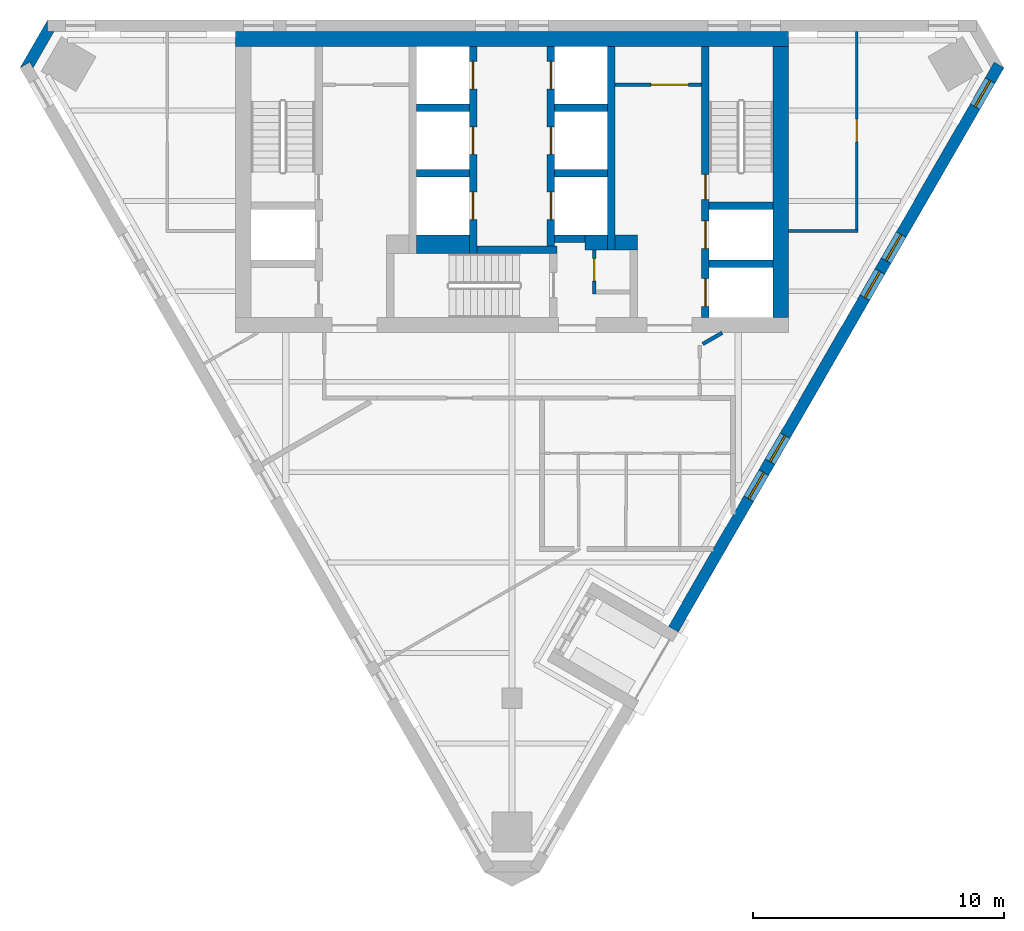
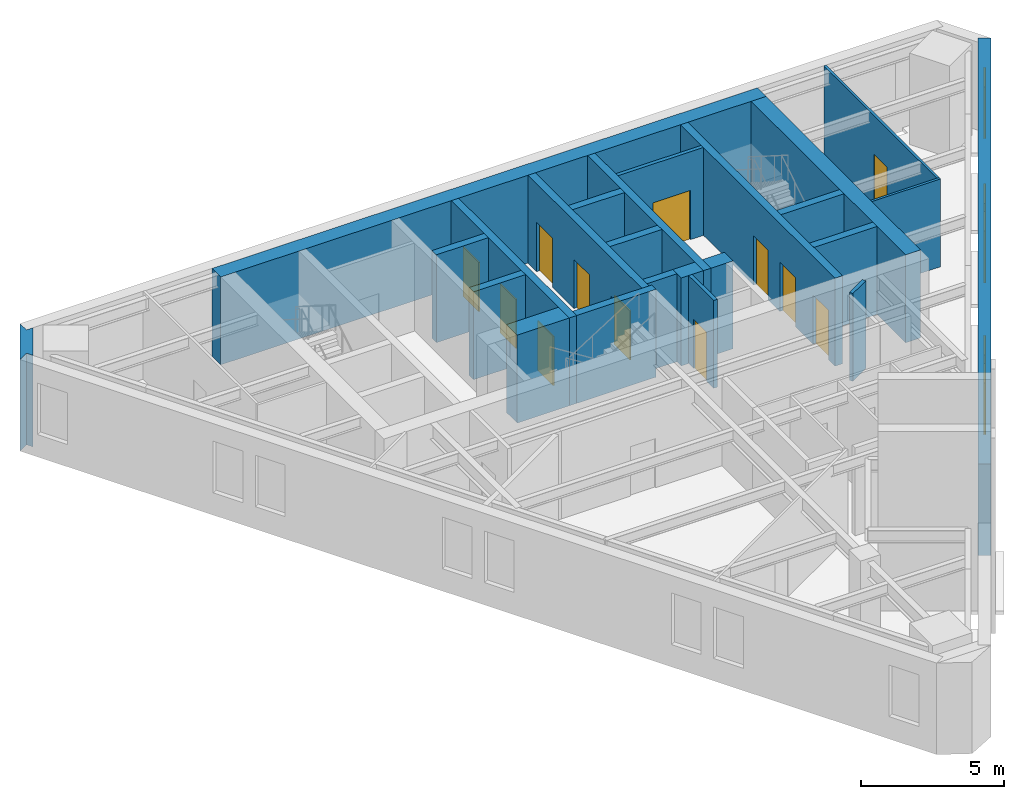
# One storey, part 4 of 6: 24 walls, 12 doors, 5 windows, 17 openings.
"""IFC4 building model written with IfcOpenShell, lengths in metres."""

from ifc_helpers import new_model, si_unit, direction, frame, frame_2d, origin, place, context, subcontext, project, spatial, polyline, rectangle, outline, extrude, material, layer, layer_set, type_object, element, fill, save


model = new_model("IFC4")

# Units and contexts
model_context = context("Model", 3, precision=1e-05, world=origin(), true_north=direction((0.0, 1.0)))
body_context = subcontext(model_context, "Body", "Model", "MODEL_VIEW")
ifc_project = project(units=[si_unit("LENGTHUNIT", "METRE"), si_unit("AREAUNIT", "SQUARE_METRE"), si_unit("VOLUMEUNIT", "CUBIC_METRE"), si_unit("PLANEANGLEUNIT", "RADIAN"), si_unit("MASSUNIT", "GRAM", prefix="KILO")], contexts=[model_context])

# Site, building, storey
site_placement = place(None, origin())
site = spatial("IfcSite", under=ifc_project, at=site_placement, CompositionType="ELEMENT")
building_placement = place(site_placement, origin())
building = spatial("IfcBuilding", under=site, at=building_placement, Name="Aloe Facet Convention Tower", CompositionType="ELEMENT")
storey_placement = place(building_placement, frame((0.0, 0.0, 273.800048828125)))
storey = spatial("IfcBuildingStorey", under=building, at=storey_placement, Name="L67", CompositionType="ELEMENT", Elevation=273.800048828125)

# Wall, opening, door
ifc_material_1 = material(Name="Concrete blockwork partition", Category="masonry")
ifc_layer_1 = layer(ifc_material_1, 0.14990234375)
ifc_layer_set_1 = layer_set([ifc_layer_1], Name="CR-W-PART150")
wall_type_1 = type_object("IfcWallType", Name="CR-W-PART150", PredefinedType="PARTITIONING", material=ifc_layer_set_1)
wall_1_placement = place(storey_placement, frame((83.27490234375, 125.85009765625, 0.0), z_axis=(0.0, 0.0, 1.0), x_axis=(0.0, -1.0, 0.0)))
wall_1 = element("IfcWall", 1, at=wall_1_placement, inside=storey, type_object=wall_type_1, Name="Core partition L67-022", PredefinedType="PARTITIONING", context=body_context, shape_type="SweptSolid", body=[
    extrude(rectangle(XDim=1.75, YDim=0.14990234375, at=frame_2d((0.875, 0.0))), origin(), (0.0, 0.0, 1.0), 3.75),
])
opening_1_placement = place(wall_1_placement, frame((0.35009765625, 0.0, 0.0)))
opening_1 = element("IfcOpeningElement", 2, at=opening_1_placement, cuts=wall_1, Name="Opening L67-CD12", PredefinedType="OPENING", context=body_context, shape_type="SweptSolid", body=[
    extrude(rectangle(XDim=0.89990234375, YDim=2.10009765625, at=frame_2d((0.449951171875, 1.050048828125))), frame((0.0, 0.0849609375, 0.0), z_axis=(0.0, -1.0, 0.0), x_axis=(1.0, 0.0, 0.0)), (0.0, 0.0, 1.0), 0.169921875),
])
ifc_material_2 = material(Name="Steel fire-resisting door set FD60", Category="steel")
door_type_1 = type_object("IfcDoorType", Name="CR-D-REFUGE-900-FD60-SRIGHT", OperationType="SINGLE_SWING_RIGHT", PredefinedType="DOOR", material=ifc_material_2)
door_1_placement = place(opening_1_placement, origin())
door_1 = element("IfcDoor", 3, at=door_1_placement, inside=storey, type_object=door_type_1, Name="Core door L67-CD12", OperationType="SINGLE_SWING_RIGHT", OverallHeight=2.10009765625, OverallWidth=0.89990234375, PredefinedType="DOOR", context=body_context, shape_type="SweptSolid", body=[
    extrude(rectangle(XDim=0.89990234375, YDim=2.10009765625, at=frame_2d((0.449951171875, 1.050048828125))), frame((0.0, 0.02490234375, 0.0), z_axis=(0.0, -1.0, 0.0), x_axis=(1.0, 0.0, 0.0)), (0.0, 0.0, 1.0), 0.050048828125),
])
fill(opening_1, door_1)

wall_2_placement = place(storey_placement, frame((84.10009765625, 132.425048828125, 0.0), z_axis=(0.0, 0.0, 1.0), x_axis=(1.0, 0.0, 0.0)))
wall_2 = element("IfcWall", 4, at=wall_2_placement, inside=storey, type_object=wall_type_1, Name="Core partition L67-025", PredefinedType="PARTITIONING", context=body_context, shape_type="SweptSolid", body=[
    extrude(rectangle(XDim=3.449951171875, YDim=0.14990234375, at=frame_2d((1.72509765625, 0.0))), origin(), (0.0, 0.0, 1.0), 3.75),
])
opening_2_placement = place(wall_2_placement, frame((1.425048828125, 0.0, 0.0)))
opening_2 = element("IfcOpeningElement", 5, at=opening_2_placement, cuts=wall_2, Name="Opening L67-CD13", PredefinedType="OPENING", context=body_context, shape_type="SweptSolid", body=[
    extrude(rectangle(XDim=1.5, YDim=2.10009765625, at=frame_2d((0.75, 1.050048828125))), frame((0.0, 0.0849609375, 0.0), z_axis=(0.0, -1.0, 0.0), x_axis=(1.0, 0.0, 0.0)), (0.0, 0.0, 1.0), 0.169921875),
])
ifc_material_3 = material(Name="Steel fire-resisting door set FD60", Category="steel")
door_type_2 = type_object("IfcDoorType", Name="CR-D-REFUGE-1500-FD60-DD", OperationType="DOUBLE_DOOR_DOUBLE_SWING", PredefinedType="DOOR", material=ifc_material_3)
door_2_placement = place(opening_2_placement, origin())
door_2 = element("IfcDoor", 6, at=door_2_placement, inside=storey, type_object=door_type_2, Name="Core door L67-CD13", OperationType="DOUBLE_DOOR_DOUBLE_SWING", OverallHeight=2.10009765625, OverallWidth=1.5, PredefinedType="DOOR", context=body_context, shape_type="SweptSolid", body=[
    extrude(rectangle(XDim=1.5, YDim=2.10009765625, at=frame_2d((0.75, 1.050048828125))), frame((0.0, 0.02490234375, 0.0), z_axis=(0.0, -1.0, 0.0), x_axis=(1.0, 0.0, 0.0)), (0.0, 0.0, 1.0), 0.050048828125),
])
fill(opening_2, door_2)

# Walls
ifc_material_4 = material(Name="Concrete C50/60", Category="concrete")
ifc_layer_2 = layer(ifc_material_4, 0.300048828125)
ifc_layer_set_2 = layer_set([ifc_layer_2], Name="CR-W-RC300-C5060")
wall_type_2 = type_object("IfcWallType", Name="CR-W-RC300-C5060", PredefinedType="SOLIDWALL", material=ifc_layer_set_2)
for number, where, z_axis, x_axis, name in (
    (7, (76.199951171875, 131.5, 0.0), (0.0, 0.0, 1.0), (1.0, 0.0, 0.0), "Core wall L67-011"),
    (8, (76.199951171875, 128.89990234375, 0.0), (0.0, 0.0, 1.0), (1.0, 0.0, 0.0), "Core wall L67-012"),
):
    element("IfcWall", number, at=place(storey_placement, frame(where, z_axis=z_axis, x_axis=x_axis)), inside=storey, type_object=wall_type_2, Name=name, PredefinedType="SOLIDWALL", context=body_context, shape_type="SweptSolid", body=[
        extrude(rectangle(XDim=2.10009765625, YDim=0.300048828125, at=frame_2d((1.050048828125, 0.0))), origin(), (0.0, 0.0, 1.0), 3.75),
    ])

# Wall, openings, doors
wall_3_placement = place(storey_placement, frame((78.449951171875, 133.949951171875, 0.0), z_axis=(0.0, 0.0, 1.0), x_axis=(0.0, -1.0, 0.0)))
wall_3 = element("IfcWall", 9, at=wall_3_placement, inside=storey, type_object=wall_type_2, Name="Core wall L67-014", PredefinedType="SOLIDWALL", context=body_context, shape_type="SweptSolid", body=[
    extrude(rectangle(XDim=8.25, YDim=0.300048828125, at=frame_2d((4.125, 0.0))), origin(), (0.0, 0.0, 1.0), 3.75),
])
opening_3_placement = place(wall_3_placement, frame((0.60009765625, 0.0, 0.0)))
opening_3 = element("IfcOpeningElement", 10, at=opening_3_placement, cuts=wall_3, Name="Opening LD-B1-L67", PredefinedType="OPENING", context=body_context, shape_type="SweptSolid", body=[
    extrude(rectangle(XDim=1.10009765625, YDim=2.10009765625, at=frame_2d((0.550048828125, 1.050048828125))), frame((0.0, 0.16015625, 0.0), z_axis=(0.0, -1.0, 0.0), x_axis=(1.0, 0.0, 0.0)), (0.0, 0.0, 1.0), 0.320068359375),
])
opening_4_placement = place(wall_3_placement, frame((3.199951171875, 0.0, 0.0)))
opening_4 = element("IfcOpeningElement", 11, at=opening_4_placement, cuts=wall_3, Name="Opening LD-B2-L67", PredefinedType="OPENING", context=body_context, shape_type="SweptSolid", body=[
    extrude(rectangle(XDim=1.10009765625, YDim=2.10009765625, at=frame_2d((0.550048828125, 1.050048828125))), frame((0.0, 0.16015625, 0.0), z_axis=(0.0, -1.0, 0.0), x_axis=(1.0, 0.0, 0.0)), (0.0, 0.0, 1.0), 0.320068359375),
])
opening_5_placement = place(wall_3_placement, frame((5.800048828125, 0.0, 0.0)))
opening_5 = element("IfcOpeningElement", 12, at=opening_5_placement, cuts=wall_3, Name="Opening LD-B3-L67", PredefinedType="OPENING", context=body_context, shape_type="SweptSolid", body=[
    extrude(rectangle(XDim=1.10009765625, YDim=2.10009765625, at=frame_2d((0.550048828125, 1.050048828125))), frame((0.0, 0.16015625, 0.0), z_axis=(0.0, -1.0, 0.0), x_axis=(1.0, 0.0, 0.0)), (0.0, 0.0, 1.0), 0.320068359375),
])
ifc_material_5 = material(Name="Stainless steel sliding landing door", Category="steel")
door_type_3 = type_object("IfcDoorType", Name="CR-LD-1100-FD60-RIGHT", OperationType="SLIDING_TO_RIGHT", PredefinedType="DOOR", material=ifc_material_5)
door_3_placement = place(opening_3_placement, origin())
door_3 = element("IfcDoor", 13, at=door_3_placement, inside=storey, type_object=door_type_3, Name="Landing door B1 L67", OperationType="SLIDING_TO_RIGHT", OverallHeight=2.10009765625, OverallWidth=1.10009765625, PredefinedType="DOOR", context=body_context, shape_type="SweptSolid", body=[
    extrude(rectangle(XDim=1.10009765625, YDim=2.10009765625, at=frame_2d((0.550048828125, 1.050048828125))), frame((0.0, 0.02490234375, 0.0), z_axis=(0.0, -1.0, 0.0), x_axis=(1.0, 0.0, 0.0)), (0.0, 0.0, 1.0), 0.050048828125),
])
fill(opening_3, door_3)
door_4_placement = place(opening_4_placement, origin())
door_4 = element("IfcDoor", 14, at=door_4_placement, inside=storey, type_object=door_type_3, Name="Landing door B2 L67", OperationType="SLIDING_TO_RIGHT", OverallHeight=2.10009765625, OverallWidth=1.10009765625, PredefinedType="DOOR", context=body_context, shape_type="SweptSolid", body=[
    extrude(rectangle(XDim=1.10009765625, YDim=2.10009765625, at=frame_2d((0.550048828125, 1.050048828125))), frame((0.0, 0.02490234375, 0.0), z_axis=(0.0, -1.0, 0.0), x_axis=(1.0, 0.0, 0.0)), (0.0, 0.0, 1.0), 0.050048828125),
])
fill(opening_4, door_4)
door_5_placement = place(opening_5_placement, origin())
door_5 = element("IfcDoor", 15, at=door_5_placement, inside=storey, type_object=door_type_3, Name="Landing door B3 L67", OperationType="SLIDING_TO_RIGHT", OverallHeight=2.10009765625, OverallWidth=1.10009765625, PredefinedType="DOOR", context=body_context, shape_type="SweptSolid", body=[
    extrude(rectangle(XDim=1.10009765625, YDim=2.10009765625, at=frame_2d((0.550048828125, 1.050048828125))), frame((0.0, 0.02490234375, 0.0), z_axis=(0.0, -1.0, 0.0), x_axis=(1.0, 0.0, 0.0)), (0.0, 0.0, 1.0), 0.050048828125),
])
fill(opening_5, door_5)

# Wall
wall_4_placement = place(storey_placement, frame((78.60009765625, 125.85009765625, 0.0), z_axis=(0.0, 0.0, 1.0), x_axis=(1.0, 0.0, 0.0)))
element("IfcWall", 16, at=wall_4_placement, inside=storey, type_object=wall_type_2, Name="Core wall L67-015", PredefinedType="SOLIDWALL", context=body_context, shape_type="SweptSolid", body=[
    extrude(rectangle(XDim=3.199951171875, YDim=0.300048828125, at=frame_2d((1.60009765625, 0.0))), origin(), (0.0, 0.0, 1.0), 3.75),
])

# Wall, openings, doors
wall_5_placement = place(storey_placement, frame((81.550048828125, 133.949951171875, 0.0), z_axis=(0.0, 0.0, 1.0), x_axis=(0.0, -1.0, 0.0)))
wall_5 = element("IfcWall", 17, at=wall_5_placement, inside=storey, type_object=wall_type_2, Name="Core wall L67-016", PredefinedType="SOLIDWALL", context=body_context, shape_type="SweptSolid", body=[
    extrude(rectangle(XDim=7.949951171875, YDim=0.300048828125, at=frame_2d((3.97509765625, 0.0))), origin(), (0.0, 0.0, 1.0), 3.75),
])
opening_6_placement = place(wall_5_placement, frame((0.60009765625, 0.0, 0.0)))
opening_6 = element("IfcOpeningElement", 18, at=opening_6_placement, cuts=wall_5, Name="Opening LD-B4-L67", PredefinedType="OPENING", context=body_context, shape_type="SweptSolid", body=[
    extrude(rectangle(XDim=1.10009765625, YDim=2.10009765625, at=frame_2d((0.550048828125, 1.050048828125))), frame((0.0, 0.16015625, 0.0), z_axis=(0.0, -1.0, 0.0), x_axis=(1.0, 0.0, 0.0)), (0.0, 0.0, 1.0), 0.320068359375),
])
opening_7_placement = place(wall_5_placement, frame((3.199951171875, 0.0, 0.0)))
opening_7 = element("IfcOpeningElement", 19, at=opening_7_placement, cuts=wall_5, Name="Opening LD-B5-L67", PredefinedType="OPENING", context=body_context, shape_type="SweptSolid", body=[
    extrude(rectangle(XDim=1.10009765625, YDim=2.10009765625, at=frame_2d((0.550048828125, 1.050048828125))), frame((0.0, 0.16015625, 0.0), z_axis=(0.0, -1.0, 0.0), x_axis=(1.0, 0.0, 0.0)), (0.0, 0.0, 1.0), 0.320068359375),
])
opening_8_placement = place(wall_5_placement, frame((5.800048828125, 0.0, 0.0)))
opening_8 = element("IfcOpeningElement", 20, at=opening_8_placement, cuts=wall_5, Name="Opening LD-B6-L67", PredefinedType="OPENING", context=body_context, shape_type="SweptSolid", body=[
    extrude(rectangle(XDim=1.10009765625, YDim=2.10009765625, at=frame_2d((0.550048828125, 1.050048828125))), frame((0.0, 0.16015625, 0.0), z_axis=(0.0, -1.0, 0.0), x_axis=(1.0, 0.0, 0.0)), (0.0, 0.0, 1.0), 0.320068359375),
])
ifc_material_6 = material(Name="Stainless steel sliding landing door", Category="steel")
door_type_4 = type_object("IfcDoorType", Name="CR-LD-1100-FD60-_LEFT", OperationType="SLIDING_TO_LEFT", PredefinedType="DOOR", material=ifc_material_6)
door_6_placement = place(opening_6_placement, origin())
door_6 = element("IfcDoor", 21, at=door_6_placement, inside=storey, type_object=door_type_4, Name="Landing door B4 L67", OperationType="SLIDING_TO_LEFT", OverallHeight=2.10009765625, OverallWidth=1.10009765625, PredefinedType="DOOR", context=body_context, shape_type="SweptSolid", body=[
    extrude(rectangle(XDim=1.10009765625, YDim=2.10009765625, at=frame_2d((0.550048828125, 1.050048828125))), frame((0.0, 0.02490234375, 0.0), z_axis=(0.0, -1.0, 0.0), x_axis=(1.0, 0.0, 0.0)), (0.0, 0.0, 1.0), 0.050048828125),
])
fill(opening_6, door_6)
door_7_placement = place(opening_7_placement, origin())
door_7 = element("IfcDoor", 22, at=door_7_placement, inside=storey, type_object=door_type_4, Name="Landing door B5 L67", OperationType="SLIDING_TO_LEFT", OverallHeight=2.10009765625, OverallWidth=1.10009765625, PredefinedType="DOOR", context=body_context, shape_type="SweptSolid", body=[
    extrude(rectangle(XDim=1.10009765625, YDim=2.10009765625, at=frame_2d((0.550048828125, 1.050048828125))), frame((0.0, 0.02490234375, 0.0), z_axis=(0.0, -1.0, 0.0), x_axis=(1.0, 0.0, 0.0)), (0.0, 0.0, 1.0), 0.050048828125),
])
fill(opening_7, door_7)
door_8_placement = place(opening_8_placement, origin())
door_8 = element("IfcDoor", 23, at=door_8_placement, inside=storey, type_object=door_type_4, Name="Landing door B6 L67", OperationType="SLIDING_TO_LEFT", OverallHeight=2.10009765625, OverallWidth=1.10009765625, PredefinedType="DOOR", context=body_context, shape_type="SweptSolid", body=[
    extrude(rectangle(XDim=1.10009765625, YDim=2.10009765625, at=frame_2d((0.550048828125, 1.050048828125))), frame((0.0, 0.02490234375, 0.0), z_axis=(0.0, -1.0, 0.0), x_axis=(1.0, 0.0, 0.0)), (0.0, 0.0, 1.0), 0.050048828125),
])
fill(opening_8, door_8)

# Walls
for number, where, z_axis, x_axis, name in (
    (24, (81.699951171875, 131.5, 0.0), (0.0, 0.0, 1.0), (1.0, 0.0, 0.0), "Core wall L67-018"),
    (25, (81.699951171875, 128.89990234375, 0.0), (0.0, 0.0, 1.0), (1.0, 0.0, 0.0), "Core wall L67-019"),
):
    element("IfcWall", number, at=place(storey_placement, frame(where, z_axis=z_axis, x_axis=x_axis)), inside=storey, type_object=wall_type_2, Name=name, PredefinedType="SOLIDWALL", context=body_context, shape_type="SweptSolid", body=[
        extrude(rectangle(XDim=2.10009765625, YDim=0.300048828125, at=frame_2d((1.050048828125, 0.0))), origin(), (0.0, 0.0, 1.0), 3.75),
    ])
wall_6_placement = place(storey_placement, frame((81.699951171875, 126.300048828125, 0.0), z_axis=(0.0, 0.0, 1.0), x_axis=(1.0, 0.0, 0.0)))
element("IfcWall", 26, at=wall_6_placement, inside=storey, type_object=wall_type_2, Name="Core wall L67-020", PredefinedType="SOLIDWALL", context=body_context, shape_type="SweptSolid", body=[
    extrude(rectangle(XDim=1.199951171875, YDim=0.300048828125, at=frame_2d((0.60009765625, 0.0))), origin(), (0.0, 0.0, 1.0), 3.75),
])
wall_7_placement = place(storey_placement, frame((83.949951171875, 133.949951171875, 0.0), z_axis=(0.0, 0.0, 1.0), x_axis=(0.0, -1.0, 0.0)))
element("IfcWall", 27, at=wall_7_placement, inside=storey, type_object=wall_type_2, Name="Core wall L67-024", PredefinedType="SOLIDWALL", context=body_context, shape_type="SweptSolid", body=[
    extrude(rectangle(XDim=8.099853515625, YDim=0.300048828125, at=frame_2d((4.0498046875, 0.0))), origin(), (0.0, 0.0, 1.0), 3.75),
])

# Wall, openings, doors
wall_8_placement = place(storey_placement, frame((87.699951171875, 133.949951171875, 0.0), z_axis=(0.0, 0.0, 1.0), x_axis=(0.0, -1.0, 0.0)))
wall_8 = element("IfcWall", 28, at=wall_8_placement, inside=storey, type_object=wall_type_2, Name="Core wall L67-028", PredefinedType="SOLIDWALL", context=body_context, shape_type="SweptSolid", body=[
    extrude(rectangle(XDim=10.800048828125, YDim=0.300048828125, at=frame_2d((5.39990234375, 0.0))), origin(), (0.0, 0.0, 1.0), 3.75),
])
opening_9_placement = place(wall_8_placement, frame((6.949951171875, 0.0, 0.0)))
opening_9 = element("IfcOpeningElement", 29, at=opening_9_placement, cuts=wall_8, Name="Opening LD-FF2-L67", PredefinedType="OPENING", context=body_context, shape_type="SweptSolid", body=[
    extrude(rectangle(XDim=1.10009765625, YDim=2.10009765625, at=frame_2d((0.550048828125, 1.050048828125))), frame((0.0, 0.16015625, 0.0), z_axis=(0.0, -1.0, 0.0), x_axis=(1.0, 0.0, 0.0)), (0.0, 0.0, 1.0), 0.320068359375),
])
opening_10_placement = place(wall_8_placement, frame((5.10009765625, 0.0, 0.0)))
opening_10 = element("IfcOpeningElement", 30, at=opening_10_placement, cuts=wall_8, Name="Opening L67-CD17", PredefinedType="OPENING", context=body_context, shape_type="SweptSolid", body=[
    extrude(rectangle(XDim=1.0, YDim=2.10009765625, at=frame_2d((0.5, 1.050048828125))), frame((0.0, 0.16015625, 0.0), z_axis=(0.0, -1.0, 0.0), x_axis=(1.0, 0.0, 0.0)), (0.0, 0.0, 1.0), 0.320068359375),
])
opening_11_placement = place(wall_8_placement, frame((9.25, 0.0, 0.0)))
opening_11 = element("IfcOpeningElement", 31, at=opening_11_placement, cuts=wall_8, Name="Opening LD-SV1-L67", PredefinedType="OPENING", context=body_context, shape_type="SweptSolid", body=[
    extrude(rectangle(XDim=1.10009765625, YDim=2.10009765625, at=frame_2d((0.550048828125, 1.050048828125))), frame((0.0, 0.16015625, 0.0), z_axis=(0.0, -1.0, 0.0), x_axis=(1.0, 0.0, 0.0)), (0.0, 0.0, 1.0), 0.320068359375),
])
ifc_material_7 = material(Name="Steel fire-resisting door set FD120", Category="steel")
door_type_5 = type_object("IfcDoorType", Name="CR-D-STAIR-1000-FD120-SLEFT", OperationType="SINGLE_SWING_LEFT", PredefinedType="DOOR", material=ifc_material_7)
door_9_placement = place(opening_10_placement, origin())
door_9 = element("IfcDoor", 32, at=door_9_placement, inside=storey, type_object=door_type_5, Name="Core door L67-CD17", OperationType="SINGLE_SWING_LEFT", OverallHeight=2.10009765625, OverallWidth=1.0, PredefinedType="DOOR", context=body_context, shape_type="SweptSolid", body=[
    extrude(rectangle(XDim=1.0, YDim=2.10009765625, at=frame_2d((0.5, 1.050048828125))), frame((0.0, 0.02490234375, 0.0), z_axis=(0.0, -1.0, 0.0), x_axis=(1.0, 0.0, 0.0)), (0.0, 0.0, 1.0), 0.050048828125),
])
fill(opening_10, door_9)
ifc_material_8 = material(Name="Stainless steel sliding landing door", Category="steel")
door_type_6 = type_object("IfcDoorType", Name="CR-LD-1100-FD120-_LEFT", OperationType="SLIDING_TO_LEFT", PredefinedType="DOOR", material=ifc_material_8)
door_10_placement = place(opening_9_placement, origin())
door_10 = element("IfcDoor", 33, at=door_10_placement, inside=storey, type_object=door_type_6, Name="Landing door FF2 L67", OperationType="SLIDING_TO_LEFT", OverallHeight=2.10009765625, OverallWidth=1.10009765625, PredefinedType="DOOR", context=body_context, shape_type="SweptSolid", body=[
    extrude(rectangle(XDim=1.10009765625, YDim=2.10009765625, at=frame_2d((0.550048828125, 1.050048828125))), frame((0.0, 0.02490234375, 0.0), z_axis=(0.0, -1.0, 0.0), x_axis=(1.0, 0.0, 0.0)), (0.0, 0.0, 1.0), 0.050048828125),
])
fill(opening_9, door_10)
door_11_placement = place(opening_11_placement, origin())
door_11 = element("IfcDoor", 34, at=door_11_placement, inside=storey, type_object=door_type_6, Name="Landing door SV1 L67", OperationType="SLIDING_TO_LEFT", OverallHeight=2.10009765625, OverallWidth=1.10009765625, PredefinedType="DOOR", context=body_context, shape_type="SweptSolid", body=[
    extrude(rectangle(XDim=1.10009765625, YDim=2.10009765625, at=frame_2d((0.550048828125, 1.050048828125))), frame((0.0, 0.02490234375, 0.0), z_axis=(0.0, -1.0, 0.0), x_axis=(1.0, 0.0, 0.0)), (0.0, 0.0, 1.0), 0.050048828125),
])
fill(opening_11, door_11)

# Walls
for number, where, z_axis, x_axis, name in (
    (35, (87.85009765625, 127.60009765625, 0.0), (0.0, 0.0, 1.0), (1.0, 0.0, 0.0), "Core wall L67-029"),
    (36, (87.85009765625, 125.300048828125, 0.0), (0.0, 0.0, 1.0), (1.0, 0.0, 0.0), "Core wall L67-030"),
):
    element("IfcWall", number, at=place(storey_placement, frame(where, z_axis=z_axis, x_axis=x_axis)), inside=storey, type_object=wall_type_2, Name=name, PredefinedType="SOLIDWALL", context=body_context, shape_type="SweptSolid", body=[
        extrude(rectangle(XDim=2.5498046875, YDim=0.300048828125, at=frame_2d((1.27490234375, 0.0))), origin(), (0.0, 0.0, 1.0), 3.75),
    ])
ifc_material_9 = material(Name="Concrete C50/60", Category="concrete")
ifc_layer_3 = layer(ifc_material_9, 0.60009765625)
ifc_layer_set_3 = layer_set([ifc_layer_3], Name="CR-W-RC600-C5060")
wall_type_3 = type_object("IfcWallType", Name="CR-W-RC600-C5060", PredefinedType="SOLIDWALL", material=ifc_layer_set_3)
wall_9_placement = place(storey_placement, frame((69.0, 134.25, 0.0), z_axis=(0.0, 0.0, 1.0), x_axis=(1.0, 0.0, 0.0)))
element("IfcWall", 37, at=wall_9_placement, inside=storey, type_object=wall_type_3, Name="Core wall L67-001", PredefinedType="SOLIDWALL", context=body_context, shape_type="SweptSolid", body=[
    extrude(rectangle(XDim=22.0, YDim=0.60009765625, at=frame_2d((11.0, 0.0))), origin(), (0.0, 0.0, 1.0), 3.75),
])
wall_10_placement = place(storey_placement, frame((82.89990234375, 126.14990234375, 0.0), z_axis=(0.0, 0.0, 1.0), x_axis=(1.0, 0.0, 0.0)))
element("IfcWall", 38, at=wall_10_placement, inside=storey, type_object=wall_type_3, Name="Core wall L67-021", PredefinedType="SOLIDWALL", context=body_context, shape_type="SweptSolid", body=[
    extrude(rectangle(XDim=0.900146484375, YDim=0.60009765625, at=frame_2d((0.4501953125, 0.0))), origin(), (0.0, 0.0, 1.0), 3.75),
])
wall_11_placement = place(storey_placement, frame((84.10009765625, 126.14990234375, 0.0), z_axis=(0.0, 0.0, 1.0), x_axis=(1.0, 0.0, 0.0)))
element("IfcWall", 39, at=wall_11_placement, inside=storey, type_object=wall_type_3, Name="Core wall L67-026", PredefinedType="SOLIDWALL", context=body_context, shape_type="SweptSolid", body=[
    extrude(rectangle(XDim=0.89990234375, YDim=0.60009765625, at=frame_2d((0.449951171875, 0.0))), origin(), (0.0, 0.0, 1.0), 3.75),
])
wall_12_placement = place(storey_placement, frame((90.699951171875, 133.949951171875, 0.0), z_axis=(0.0, 0.0, 1.0), x_axis=(0.0, -1.0, 0.0)))
element("IfcWall", 40, at=wall_12_placement, inside=storey, type_object=wall_type_3, Name="Core wall L67-031", PredefinedType="SOLIDWALL", context=body_context, shape_type="SweptSolid", body=[
    extrude(rectangle(XDim=10.800048828125, YDim=0.60009765625, at=frame_2d((5.39990234375, 0.0))), origin(), (0.0, 0.0, 1.0), 3.75),
])
ifc_material_10 = material(Name="Concrete C50/60", Category="concrete")
ifc_layer_4 = layer(ifc_material_10, 0.75)
ifc_layer_set_4 = layer_set([ifc_layer_4], Name="CR-W-RC750-C5060")
wall_type_4 = type_object("IfcWallType", Name="CR-W-RC750-C5060", PredefinedType="SOLIDWALL", material=ifc_layer_set_4)
wall_13_placement = place(storey_placement, frame((76.199951171875, 126.074951171875, 0.0), z_axis=(0.0, 0.0, 1.0), x_axis=(1.0, 0.0, 0.0)))
element("IfcWall", 41, at=wall_13_placement, inside=storey, type_object=wall_type_4, Name="Core wall L67-013", PredefinedType="SOLIDWALL", context=body_context, shape_type="SweptSolid", body=[
    extrude(rectangle(XDim=2.10009765625, YDim=0.75, at=frame_2d((1.050048828125, 0.0))), origin(), (0.0, 0.0, 1.0), 3.75),
])
ifc_material_11 = material(Name="Precast concrete C40/50", Category="concrete")
ifc_layer_5 = layer(ifc_material_11, 0.449951171875)
ifc_layer_set_5 = layer_set([ifc_layer_5], Name="EV-WALL-PIER")
wall_type_5 = type_object("IfcWallType", Name="EV-WALL-PIER", PredefinedType="SOLIDWALL", material=ifc_layer_set_5)
wall_14_placement = place(storey_placement, frame((0.0, 0.0, -0.150146484375)))
element("IfcWall", 42, at=wall_14_placement, inside=storey, type_object=wall_type_5, Name="EP-L67-A", PredefinedType="SOLIDWALL", context=body_context, shape_type="SweptSolid", body=[
    extrude(outline(polyline([(61.513916015625, 135.0), (61.513916015625, 134.550048828125), (61.773681640625, 134.550048828125), (60.933349609375, 133.0947265625), (60.803466796875, 133.31982421875), (60.413818359375, 133.0947265625), (61.513916015625, 135.0)])), origin(), (0.0, 0.0, 1.0), 3.900146484375),
])

# Wall, openings, windows
ifc_material_12 = material(Name="Precast concrete C40/50", Category="concrete")
ifc_layer_6 = layer(ifc_material_12, 0.449951171875)
ifc_layer_set_6 = layer_set([ifc_layer_6], Name="EV-WALL-STONE")
wall_type_6 = type_object("IfcWallType", Name="EV-WALL-STONE", PredefinedType="SOLIDWALL", material=ifc_layer_set_6)
wall_15_placement = place(storey_placement, frame((86.4267578125, 110.751953125, -0.150146484375), z_axis=(0.0, 0.0, 1.0), x_axis=(0.500000383388, 0.866025182435, 0.0)))
wall_15 = element("IfcWall", 43, at=wall_15_placement, inside=storey, type_object=wall_type_6, Name="EW-L67-E02", PredefinedType="SOLIDWALL", context=body_context, shape_type="SweptSolid", body=[
    extrude(outline(polyline([(25.92919921875, 3.900146484375), (25.92919921875, 0.0), (0.0, 0.0), (0.0, 3.900146484375), (25.92919921875, 3.900146484375)])), frame((0.0, 0.22509765625, 0.0), z_axis=(0.0, -1.0, 0.0), x_axis=(1.0, 0.0, 0.0)), (0.0, 0.0, 1.0), 0.449951171875),
])
opening_12_placement = place(wall_15_placement, frame((5.9931640625, 0.0, 0.949951171875)))
opening_12 = element("IfcOpeningElement", 44, at=opening_12_placement, cuts=wall_15, Name="Opening W-L67-E02", PredefinedType="OPENING", context=body_context, shape_type="SweptSolid", body=[
    extrude(rectangle(XDim=1.199951171875, YDim=2.199951171875, at=frame_2d((0.60009765625, 1.10009765625))), frame((0.0, 0.23486328125, 0.0), z_axis=(0.0, -1.0, 0.0), x_axis=(1.0, 0.0, 0.0)), (0.0, 0.0, 1.0), 0.469970703125),
])
opening_13_placement = place(wall_15_placement, frame((7.693115234375, 0.0, 0.949951171875)))
opening_13 = element("IfcOpeningElement", 45, at=opening_13_placement, cuts=wall_15, Name="Opening W-L67-E03", PredefinedType="OPENING", context=body_context, shape_type="SweptSolid", body=[
    extrude(rectangle(XDim=1.199951171875, YDim=2.199951171875, at=frame_2d((0.60009765625, 1.10009765625))), frame((0.0, 0.23486328125, 0.0), z_axis=(0.0, -1.0, 0.0), x_axis=(1.0, 0.0, 0.0)), (0.0, 0.0, 1.0), 0.469970703125),
])
opening_14_placement = place(wall_15_placement, frame((15.236083984375, 0.0, 0.949951171875)))
opening_14 = element("IfcOpeningElement", 46, at=opening_14_placement, cuts=wall_15, Name="Opening W-L67-E04", PredefinedType="OPENING", context=body_context, shape_type="SweptSolid", body=[
    extrude(rectangle(XDim=1.199951171875, YDim=2.199951171875, at=frame_2d((0.60009765625, 1.10009765625))), frame((0.0, 0.23486328125, 0.0), z_axis=(0.0, -1.0, 0.0), x_axis=(1.0, 0.0, 0.0)), (0.0, 0.0, 1.0), 0.469970703125),
])
opening_15_placement = place(wall_15_placement, frame((16.93603515625, 0.0, 0.949951171875)))
opening_15 = element("IfcOpeningElement", 47, at=opening_15_placement, cuts=wall_15, Name="Opening W-L67-E05", PredefinedType="OPENING", context=body_context, shape_type="SweptSolid", body=[
    extrude(rectangle(XDim=1.199951171875, YDim=2.199951171875, at=frame_2d((0.60009765625, 1.10009765625))), frame((0.0, 0.23486328125, 0.0), z_axis=(0.0, -1.0, 0.0), x_axis=(1.0, 0.0, 0.0)), (0.0, 0.0, 1.0), 0.469970703125),
])
opening_16_placement = place(wall_15_placement, frame((24.0146484375, 0.0, 0.949951171875)))
opening_16 = element("IfcOpeningElement", 48, at=opening_16_placement, cuts=wall_15, Name="Opening W-L67-E06", PredefinedType="OPENING", context=body_context, shape_type="SweptSolid", body=[
    extrude(rectangle(XDim=1.199951171875, YDim=2.199951171875, at=frame_2d((0.60009765625, 1.10009765625))), frame((0.0, 0.23486328125, 0.0), z_axis=(0.0, -1.0, 0.0), x_axis=(1.0, 0.0, 0.0)), (0.0, 0.0, 1.0), 0.469970703125),
])
ifc_material_13 = material(Name="Aluminium frame, clear double glazing", Category="aluminium")
window_type = type_object("IfcWindowType", Name="EV-WIN-O12", PartitioningType="SINGLE_PANEL", PredefinedType="WINDOW", material=ifc_material_13)
window_1_placement = place(opening_12_placement, origin())
window_1 = element("IfcWindow", 49, at=window_1_placement, inside=storey, type_object=window_type, Name="W-L67-E02", OverallHeight=2.199951171875, OverallWidth=1.199951171875, PartitioningType="SINGLE_PANEL", PredefinedType="WINDOW", context=body_context, shape_type="SweptSolid", body=[
    extrude(rectangle(XDim=1.199951171875, YDim=2.199951171875, at=frame_2d((0.60009765625, 1.10009765625))), frame((0.0, 0.030029296875, 0.0), z_axis=(0.0, -1.0, 0.0), x_axis=(1.0, 0.0, 0.0)), (0.0, 0.0, 1.0), 0.06005859375),
])
fill(opening_12, window_1)
window_2_placement = place(opening_13_placement, origin())
window_2 = element("IfcWindow", 50, at=window_2_placement, inside=storey, type_object=window_type, Name="W-L67-E03", OverallHeight=2.199951171875, OverallWidth=1.199951171875, PartitioningType="SINGLE_PANEL", PredefinedType="WINDOW", context=body_context, shape_type="SweptSolid", body=[
    extrude(rectangle(XDim=1.199951171875, YDim=2.199951171875, at=frame_2d((0.60009765625, 1.10009765625))), frame((0.0, 0.030029296875, 0.0), z_axis=(0.0, -1.0, 0.0), x_axis=(1.0, 0.0, 0.0)), (0.0, 0.0, 1.0), 0.06005859375),
])
fill(opening_13, window_2)
window_3_placement = place(opening_14_placement, origin())
window_3 = element("IfcWindow", 51, at=window_3_placement, inside=storey, type_object=window_type, Name="W-L67-E04", OverallHeight=2.199951171875, OverallWidth=1.199951171875, PartitioningType="SINGLE_PANEL", PredefinedType="WINDOW", context=body_context, shape_type="SweptSolid", body=[
    extrude(rectangle(XDim=1.199951171875, YDim=2.199951171875, at=frame_2d((0.60009765625, 1.10009765625))), frame((0.0, 0.030029296875, 0.0), z_axis=(0.0, -1.0, 0.0), x_axis=(1.0, 0.0, 0.0)), (0.0, 0.0, 1.0), 0.06005859375),
])
fill(opening_14, window_3)
window_4_placement = place(opening_15_placement, origin())
window_4 = element("IfcWindow", 52, at=window_4_placement, inside=storey, type_object=window_type, Name="W-L67-E05", OverallHeight=2.199951171875, OverallWidth=1.199951171875, PartitioningType="SINGLE_PANEL", PredefinedType="WINDOW", context=body_context, shape_type="SweptSolid", body=[
    extrude(rectangle(XDim=1.199951171875, YDim=2.199951171875, at=frame_2d((0.60009765625, 1.10009765625))), frame((0.0, 0.030029296875, 0.0), z_axis=(0.0, -1.0, 0.0), x_axis=(1.0, 0.0, 0.0)), (0.0, 0.0, 1.0), 0.06005859375),
])
fill(opening_15, window_4)
window_5_placement = place(opening_16_placement, origin())
window_5 = element("IfcWindow", 53, at=window_5_placement, inside=storey, type_object=window_type, Name="W-L67-E06", OverallHeight=2.199951171875, OverallWidth=1.199951171875, PartitioningType="SINGLE_PANEL", PredefinedType="WINDOW", context=body_context, shape_type="SweptSolid", body=[
    extrude(rectangle(XDim=1.199951171875, YDim=2.199951171875, at=frame_2d((0.60009765625, 1.10009765625))), frame((0.0, 0.030029296875, 0.0), z_axis=(0.0, -1.0, 0.0), x_axis=(1.0, 0.0, 0.0)), (0.0, 0.0, 1.0), 0.06005859375),
])
fill(opening_16, window_5)

# Walls
ifc_material_14 = material(Name="Gypsum board partition on steel studs", Category="steel")
ifc_layer_7 = layer(ifc_material_14, 0.14990234375)
ifc_layer_set_7 = layer_set([ifc_layer_7], Name="IN-W-CORR")
wall_type_7 = type_object("IfcWallType", Name="IN-W-CORR", PredefinedType="PARTITIONING", material=ifc_layer_set_7)
wall_16_placement = place(storey_placement, frame((87.590576171875, 122.099365234375, 0.0), z_axis=(0.0, 0.0, 1.0), x_axis=(0.866072174983, 0.499918981156, 0.0)))
element("IfcWall", 54, at=wall_16_placement, inside=storey, type_object=wall_type_7, Name="Partition L67-W025", PredefinedType="PARTITIONING", context=body_context, shape_type="SweptSolid", body=[
    extrude(rectangle(XDim=0.896240234375, YDim=0.14990234375, at=frame_2d((0.4482421875, 0.0))), origin(), (0.0, 0.0, 1.0), 3.75),
])
ifc_material_15 = material(Name="Gypsum board partition on steel studs", Category="steel")
ifc_layer_8 = layer(ifc_material_15, 0.10009765625)
ifc_layer_set_8 = layer_set([ifc_layer_8], Name="IN-W-PART")
wall_type_8 = type_object("IfcWallType", Name="IN-W-PART", PredefinedType="PARTITIONING", material=ifc_layer_set_8)
wall_17_placement = place(storey_placement, frame((91.0, 126.60009765625, 0.0), z_axis=(0.0, 0.0, 1.0), x_axis=(1.0, 0.0, 0.0)))
element("IfcWall", 55, at=wall_17_placement, inside=storey, type_object=wall_type_8, Name="Partition L67-W028", PredefinedType="PARTITIONING", context=body_context, shape_type="SweptSolid", body=[
    extrude(rectangle(XDim=2.775634765625, YDim=0.10009765625, at=frame_2d((1.3876953125, 0.0))), origin(), (0.0, 0.0, 1.0), 3.75),
])

# Wall, opening, door
wall_18_placement = place(storey_placement, frame((93.7255859375, 126.64990234375, 0.0), z_axis=(0.0, 0.0, 1.0), x_axis=(0.000278129721, 0.999999961322, 0.0)))
wall_18 = element("IfcWall", 56, at=wall_18_placement, inside=storey, type_object=wall_type_8, Name="Partition L67-W029", PredefinedType="PARTITIONING", context=body_context, shape_type="SweptSolid", body=[
    extrude(rectangle(XDim=7.900146484375, YDim=0.10009765625, at=frame_2d((3.9501953125, 0.0))), origin(), (0.0, 0.0, 1.0), 3.75),
])
opening_17_placement = place(wall_18_placement, frame((3.5, 0.0, 0.0)))
opening_17 = element("IfcOpeningElement", 57, at=opening_17_placement, cuts=wall_18, Name="Opening L67-006", PredefinedType="OPENING", context=body_context, shape_type="SweptSolid", body=[
    extrude(rectangle(XDim=0.89990234375, YDim=2.10009765625, at=frame_2d((0.449951171875, 1.050048828125))), frame((0.0, 0.06005859375, 0.0), z_axis=(0.0, -1.0, 0.0), x_axis=(1.0, 0.0, 0.0)), (0.0, 0.0, 1.0), 0.1201171875),
])
ifc_material_16 = material(Name="Timber door", Category="wood")
door_type_7 = type_object("IfcDoorType", Name="IN-OFF-D-ROOM", OperationType="SINGLE_SWING_LEFT", PredefinedType="DOOR", material=ifc_material_16)
door_12_placement = place(opening_17_placement, origin())
door_12 = element("IfcDoor", 58, at=door_12_placement, inside=storey, type_object=door_type_7, Name="Door L67-006", OperationType="SINGLE_SWING_LEFT", OverallHeight=2.10009765625, OverallWidth=0.89990234375, PredefinedType="DOOR", context=body_context, shape_type="SweptSolid", body=[
    extrude(rectangle(XDim=0.89990234375, YDim=2.10009765625, at=frame_2d((0.449951171875, 1.050048828125))), frame((0.0, 0.02490234375, 0.0), z_axis=(0.0, -1.0, 0.0), x_axis=(1.0, 0.0, 0.0)), (0.0, 0.0, 1.0), 0.050048828125),
])
fill(opening_17, door_12)

save(model, "model.ifc")
